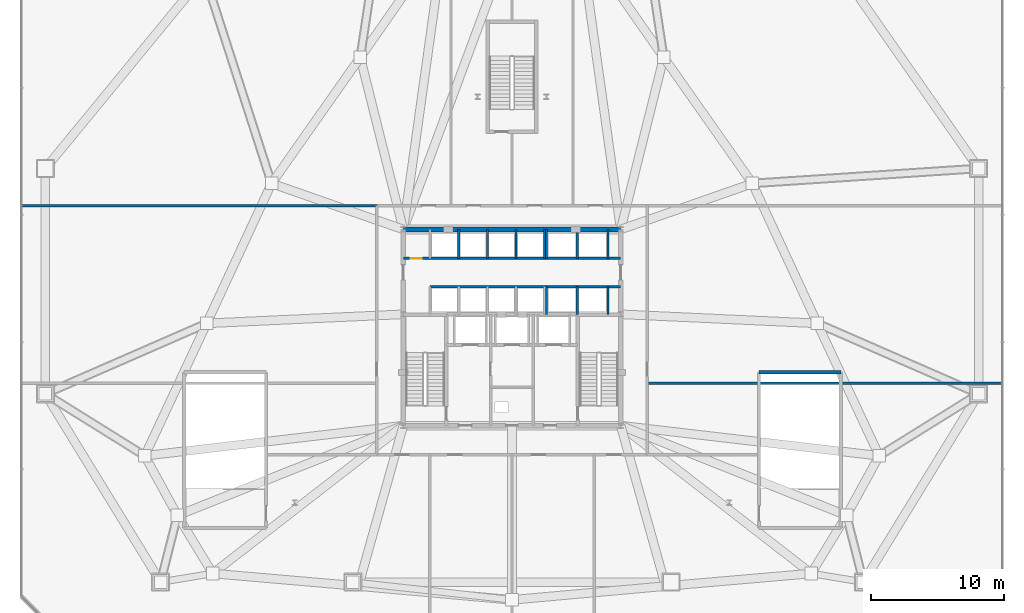
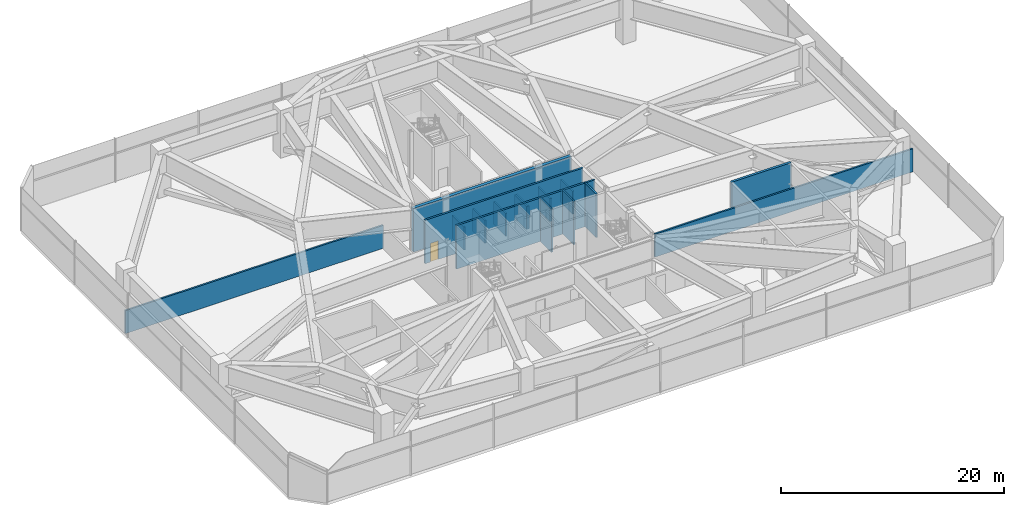
# One storey, part 23 of 29: 16 walls, 1 door, 1 opening.
"""IFC4 building model written with IfcOpenShell, lengths in metres."""

from ifc_helpers import new_model, si_unit, direction, frame, frame_2d, origin, place, context, subcontext, project, spatial, rectangle, extrude, material, layer, layer_set, type_object, element, fill, save


model = new_model("IFC4")

# Units and contexts
model_context = context("Model", 3, precision=1e-05, world=origin(), true_north=direction((0.0, 1.0)))
body_context = subcontext(model_context, "Body", "Model", "MODEL_VIEW")
ifc_project = project(units=[si_unit("LENGTHUNIT", "METRE"), si_unit("AREAUNIT", "SQUARE_METRE"), si_unit("VOLUMEUNIT", "CUBIC_METRE"), si_unit("PLANEANGLEUNIT", "RADIAN"), si_unit("MASSUNIT", "GRAM", prefix="KILO")], contexts=[model_context])

# Site, building, storey
site_placement = place(None, origin())
site = spatial("IfcSite", under=ifc_project, at=site_placement, CompositionType="ELEMENT")
building_placement = place(site_placement, origin())
building = spatial("IfcBuilding", under=site, at=building_placement, Name="Varakhsha Concourse Tower", CompositionType="ELEMENT")
storey_placement = place(building_placement, frame((0.0, 0.0, 22.0)))
storey = spatial("IfcBuildingStorey", under=building, at=storey_placement, Name="L05", CompositionType="ELEMENT", Elevation=22.0)

# Walls
ifc_material_1 = material(Name="Concrete fc 65 MPa", Category="concrete")
ifc_layer_1 = layer(ifc_material_1, 0.35009765625, Name="WL-CORE-350")
ifc_layer_set_1 = layer_set([ifc_layer_1], Name="Concrete fc 65 MPa")
wall_type_1 = type_object("IfcWallType", Name="WL-CORE-350", PredefinedType="SHEAR", material=ifc_layer_set_1)
wall_1_placement = place(storey_placement, frame((31.800048828125, 31.199951171875, 0.0), z_axis=(0.0, 0.0, 1.0), x_axis=(1.0, 0.0, 0.0)))
element("IfcWall", 1, at=wall_1_placement, inside=storey, type_object=wall_type_1, Name="L05 Wall CWALL-N-L05", PredefinedType="SHEAR", context=body_context, shape_type="SweptSolid", body=[
    extrude(rectangle(XDim=16.39990234375, YDim=0.35009765625, at=frame_2d((8.199951171875, 0.0))), origin(), (0.0, 0.0, 1.0), 4.780029296875),
])
ifc_material_2 = material(Name="Fire-Rated Type X Gypsum Partition Assembly", Category="gypsum")
ifc_layer_2 = layer(ifc_material_2, 0.179931640625, Name="WL-PART-180")
ifc_layer_set_2 = layer_set([ifc_layer_2], Name="Fire-Rated Type X Gypsum Partition Assembly")
wall_type_2 = type_object("IfcWallType", Name="WL-PART-180", PredefinedType="PARTITIONING", material=ifc_layer_set_2)
for number, where, z_axis, x_axis, name in (
    (2, (50.199951171875, 19.60009765625, 0.0), (0.0, 0.0, 1.0), (1.0, 0.0, 0.0), "L05 Wall PDIV-ES-L05"),
    (3, (3.0400390625, 33.0, 0.0), (0.0, 0.0, 1.0), (1.0, 0.0, 0.0), "L05 Wall PDIV-WN-L05"),
):
    element("IfcWall", number, at=place(storey_placement, frame(where, z_axis=z_axis, x_axis=x_axis)), inside=storey, type_object=wall_type_2, Name=name, PredefinedType="PARTITIONING", context=body_context, shape_type="SweptSolid", body=[
        extrude(rectangle(XDim=26.760009765625, YDim=0.179931640625, at=frame_2d((13.3798828125, 0.0))), origin(), (0.0, 0.0, 1.0), 2.52001953125),
    ])

# Wall, opening, door
ifc_layer_3 = layer(ifc_material_2, 0.199951171875, Name="WL-SHAFT-220")
ifc_layer_set_3 = layer_set([ifc_layer_3], Name="Fire-Rated Type X Gypsum Partition Assembly")
wall_type_3 = type_object("IfcWallType", Name="WL-SHAFT-220", PredefinedType="SOLIDWALL", material=ifc_layer_set_3)
wall_2_placement = place(storey_placement, frame((31.800048828125, 29.02001953125, 0.0), z_axis=(0.0, 0.0, 1.0), x_axis=(1.0, 0.0, 0.0)))
wall_2 = element("IfcWall", 4, at=wall_2_placement, inside=storey, type_object=wall_type_3, Name="L05 Wall PLW-N-L05", PredefinedType="SOLIDWALL", context=body_context, shape_type="SweptSolid", body=[
    extrude(rectangle(XDim=16.39990234375, YDim=0.199951171875, at=frame_2d((8.199951171875, 0.0))), origin(), (0.0, 0.0, 1.0), 4.780029296875),
])
opening_placement = place(wall_2_placement, frame((0.550048828125, 0.0, 0.0)))
opening = element("IfcOpeningElement", 5, at=opening_placement, cuts=wall_2, Name="Opening DF-07", PredefinedType="OPENING", context=body_context, shape_type="SweptSolid", body=[
    extrude(rectangle(XDim=0.85009765625, YDim=2.050048828125, at=frame_2d((0.425048828125, 1.02490234375))), frame((0.0, 0.10986328125, 0.0), z_axis=(0.0, -1.0, 0.0), x_axis=(1.0, 0.0, 0.0)), (0.0, 0.0, 1.0), 0.219970703125),
])
ifc_material_3 = material(Name="Hollow Galvanised Steel Fire Door Assembly", Category="steel")
door_type = type_object("IfcDoorType", Name="DR-FD60-850", OperationType="NOTDEFINED", PredefinedType="DOOR", material=ifc_material_3)
door_placement = place(opening_placement, origin())
door = element("IfcDoor", 6, at=door_placement, inside=storey, type_object=door_type, Name="L05 Core Janitor Closet Door", OperationType="SINGLE_SWING_LEFT", OverallHeight=2.050048828125, OverallWidth=0.85009765625, PredefinedType="DOOR", context=body_context, shape_type="SweptSolid", body=[
    extrude(rectangle(XDim=0.85009765625, YDim=2.050048828125, at=frame_2d((0.425048828125, 1.02490234375))), frame((0.0, 0.02490234375, 0.0), z_axis=(0.0, -1.0, 0.0), x_axis=(1.0, 0.0, 0.0)), (0.0, 0.0, 1.0), 0.050048828125),
])
fill(opening, door)

# Walls
wall_3_placement = place(storey_placement, frame((33.820068359375, 26.8798828125, 0.0), z_axis=(0.0, 0.0, 1.0), x_axis=(1.0, 0.0, 0.0)))
element("IfcWall", 7, at=wall_3_placement, inside=storey, type_object=wall_type_3, Name="L05 Wall PLW-S-L05", PredefinedType="SOLIDWALL", context=body_context, shape_type="SweptSolid", body=[
    extrude(rectangle(XDim=14.3798828125, YDim=0.199951171875, at=frame_2d((7.18994140625, 0.0))), origin(), (0.0, 0.0, 1.0), 4.780029296875),
])
for number, where, z_axis, x_axis, name in (
    (8, (35.97998046875, 29.02001953125, 0.0), (0.0, 0.0, 1.0), (0.0, 1.0, 0.0), "L05 Wall SHW-LF-P01-E-L05"),
    (9, (38.139892578125, 29.02001953125, 0.0), (0.0, 0.0, 1.0), (0.0, 1.0, 0.0), "L05 Wall SHW-LF-P02-E-L05"),
    (10, (40.300048828125, 29.02001953125, 0.0), (0.0, 0.0, 1.0), (0.0, 1.0, 0.0), "L05 Wall SHW-LF-P03-E-L05"),
    (11, (42.4599609375, 29.02001953125, 0.0), (0.0, 0.0, 1.0), (0.0, 1.0, 0.0), "L05 Wall SHW-LF-P04-E-L05"),
    (12, (42.60009765625, 29.02001953125, 0.0), (0.0, 0.0, 1.0), (0.0, 1.0, 0.0), "L05 Wall SHW-LF-P09-W-L05"),
    (13, (44.919921875, 29.02001953125, 0.0), (0.0, 0.0, 1.0), (0.0, 1.0, 0.0), "L05 Wall SHW-LF-P09-E-L05"),
    (14, (47.239990234375, 29.02001953125, 0.0), (0.0, 0.0, 1.0), (0.0, 1.0, 0.0), "L05 Wall SHW-LF-P10-E-L05"),
):
    element("IfcWall", number, at=place(storey_placement, frame(where, z_axis=z_axis, x_axis=x_axis)), inside=storey, type_object=wall_type_3, Name=name, PredefinedType="SOLIDWALL", context=body_context, shape_type="SweptSolid", body=[
        extrude(rectangle(XDim=2.179931640625, YDim=0.159912109375, at=frame_2d((1.08984375, 0.0))), origin(), (0.0, 0.0, 1.0), 2.52001953125),
    ])
for number, where, z_axis, x_axis, name in (
    (15, (42.60009765625, 24.800048828125, 0.0), (0.0, 0.0, 1.0), (0.0, 1.0, 0.0), "L05 Wall SHW-LF-P11-W-L05"),
    (16, (44.919921875, 24.800048828125, 0.0), (0.0, 0.0, 1.0), (0.0, 1.0, 0.0), "L05 Wall SHW-LF-P11-E-L05"),
    (17, (47.239990234375, 24.800048828125, 0.0), (0.0, 0.0, 1.0), (0.0, 1.0, 0.0), "L05 Wall SHW-LF-P12-E-L05"),
):
    element("IfcWall", number, at=place(storey_placement, frame(where, z_axis=z_axis, x_axis=x_axis)), inside=storey, type_object=wall_type_3, Name=name, PredefinedType="SOLIDWALL", context=body_context, shape_type="SweptSolid", body=[
        extrude(rectangle(XDim=2.079833984375, YDim=0.159912109375, at=frame_2d((1.0400390625, 0.0))), origin(), (0.0, 0.0, 1.0), 4.780029296875),
    ])
ifc_material_4 = material(Name="Concrete fc 45 MPa", Category="concrete")
ifc_layer_4 = layer(ifc_material_4, 0.25, Name="WL-STAIR-250")
ifc_layer_set_4 = layer_set([ifc_layer_4], Name="Concrete fc 45 MPa")
wall_type_4 = type_object("IfcWallType", Name="WL-STAIR-250", PredefinedType="SHEAR", material=ifc_layer_set_4)
wall_4_placement = place(storey_placement, frame((58.635009765625, 20.425048828125, 0.0), z_axis=(0.0, 0.0, 1.0), x_axis=(1.0, 0.0, 0.0)))
element("IfcWall", 18, at=wall_4_placement, inside=storey, type_object=wall_type_4, Name="L05 Wall ST4W-N-L05", PredefinedType="SHEAR", context=body_context, shape_type="SweptSolid", body=[
    extrude(rectangle(XDim=6.169921875, YDim=0.25, at=frame_2d((3.0849609375, 0.0))), origin(), (0.0, 0.0, 1.0), 4.780029296875),
])

save(model, "model.ifc")
